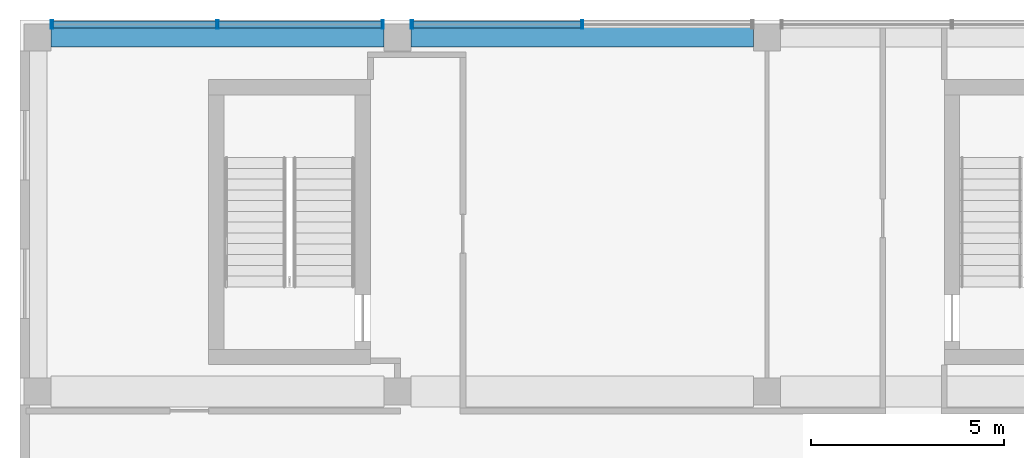
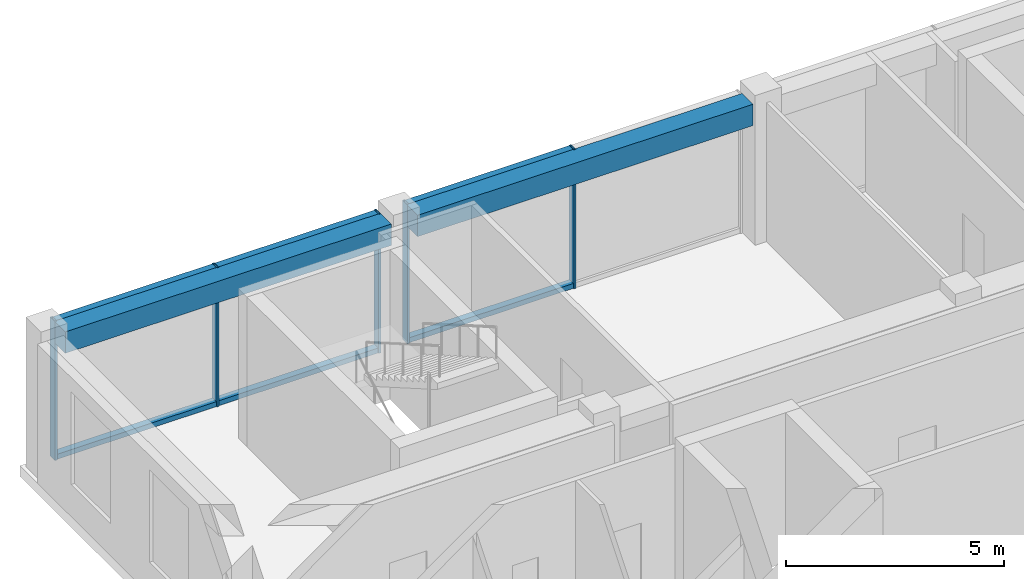
# One storey, part 14 of 27: 11 members, 2 beams, 2 elements without a shape of their own.
"""IFC4 building model written with IfcOpenShell, lengths in metres."""

from ifc_helpers import new_model, si_unit, direction, frame, origin, origin_2d, place, context, subcontext, project, spatial, rectangle, hollow_rectangle, extrude, material, layer, layer_set, material_profile, profile_set, type_object, element, aggregate, save


model = new_model("IFC4")

# Units and contexts
model_context = context("Model", 3, precision=1e-05, world=origin(), true_north=direction((0.0, 1.0)))
body_context = subcontext(model_context, "Body", "Model", "MODEL_VIEW")
ifc_project = project(units=[si_unit("LENGTHUNIT", "METRE"), si_unit("AREAUNIT", "SQUARE_METRE"), si_unit("VOLUMEUNIT", "CUBIC_METRE"), si_unit("PLANEANGLEUNIT", "RADIAN"), si_unit("MASSUNIT", "GRAM", prefix="KILO")], contexts=[model_context])

# Site, building, storey
site_placement = place(None, origin())
site = spatial("IfcSite", under=ifc_project, at=site_placement, CompositionType="ELEMENT")
building_placement = place(site_placement, origin())
building = spatial("IfcBuilding", under=site, at=building_placement, Name="Nzadi Deep Aquarium and Research Tower", CompositionType="ELEMENT")
storey_placement = place(building_placement, frame((0.0, 0.0, 69.699951171875)))
storey = spatial("IfcBuildingStorey", under=building, at=storey_placement, Name="L14", CompositionType="ELEMENT", Elevation=69.699951171875)

# Curtain wall, members
ifc_material_1 = material(Name="Aluminium unitised frame deep", Category="aluminium")
ifc_layer = layer(ifc_material_1, 0.22509765625)
ifc_layer_set = layer_set([ifc_layer], Name="Aluminium unitised frame deep")
curtain_wall_type = type_object("IfcCurtainWallType", Name="Curtain wall Unitised Deep 225", PredefinedType="NOTDEFINED", material=ifc_layer_set)
curtain_wall_1_placement = place(storey_placement, origin())
curtain_wall_1 = element("IfcCurtainWall", 1, at=curtain_wall_1_placement, inside=storey, type_object=curtain_wall_type, Name="Unitised curtain wall blade B north L14", PredefinedType="NOTDEFINED")
ifc_material_2 = material(Name="Aluminium unitised frame deep", Category="aluminium")
ifc_material_profile_1 = material_profile(ifc_material_2, hollow_rectangle(XDim=0.22509765625, YDim=0.06005859375, WallThickness=0.0048828125, at=origin_2d()))
ifc_profile_set_1 = profile_set([ifc_material_profile_1], Name="Aluminium unitised frame deep")
member_type_1 = type_object("IfcMemberType", Name="Mullion 60x225 Unitised Deep", PredefinedType="MULLION", material=ifc_profile_set_1)
member_1_placement = place(storey_placement, frame((0.6298828125, 46.33740234375, 0.0), z_axis=(0.0, 0.0, 1.0), x_axis=(0.0, 1.0, 0.0)))
member_1 = element("IfcMember", 2, at=member_1_placement, type_object=member_type_1, Name="CW180 mullion 1", PredefinedType="MULLION", context=body_context, shape_type="SweptSolid", body=[
    extrude(hollow_rectangle(XDim=0.22509765625, YDim=0.06005859375, WallThickness=0.0048828125, at=origin_2d()), origin(), (0.0, 0.0, 1.0), 3.900146484375),
])
member_2_placement = place(storey_placement, frame((4.925048828125, 46.33740234375, 0.0), z_axis=(0.0, 0.0, 1.0), x_axis=(0.0, 1.0, 0.0)))
member_2 = element("IfcMember", 3, at=member_2_placement, type_object=member_type_1, Name="CW180 mullion 2", PredefinedType="MULLION", context=body_context, shape_type="SweptSolid", body=[
    extrude(hollow_rectangle(XDim=0.22509765625, YDim=0.06005859375, WallThickness=0.0048828125, at=origin_2d()), origin(), (0.0, 0.0, 1.0), 3.900146484375),
])
member_3_placement = place(storey_placement, frame((9.219970703125, 46.33740234375, 0.0), z_axis=(0.0, 0.0, 1.0), x_axis=(0.0, 1.0, 0.0)))
member_3 = element("IfcMember", 4, at=member_3_placement, type_object=member_type_1, Name="CW180 mullion 3", PredefinedType="MULLION", context=body_context, shape_type="SweptSolid", body=[
    extrude(hollow_rectangle(XDim=0.22509765625, YDim=0.06005859375, WallThickness=0.0048828125, at=origin_2d()), origin(), (0.0, 0.0, 1.0), 3.900146484375),
])

curtain_wall_2_placement = place(storey_placement, origin())
curtain_wall_2 = element("IfcCurtainWall", 5, at=curtain_wall_2_placement, inside=storey, type_object=curtain_wall_type, Name="Unitised curtain wall blade B north L14", PredefinedType="NOTDEFINED")
member_4_placement = place(storey_placement, frame((9.97998046875, 46.33740234375, 0.0), z_axis=(0.0, 0.0, 1.0), x_axis=(0.0, 1.0, 0.0)))
member_4 = element("IfcMember", 6, at=member_4_placement, type_object=member_type_1, Name="CW181 mullion 1", PredefinedType="MULLION", context=body_context, shape_type="SweptSolid", body=[
    extrude(hollow_rectangle(XDim=0.22509765625, YDim=0.06005859375, WallThickness=0.0048828125, at=origin_2d()), origin(), (0.0, 0.0, 1.0), 3.900146484375),
])
member_5_placement = place(storey_placement, frame((14.39990234375, 46.33740234375, 0.0), z_axis=(0.0, 0.0, 1.0), x_axis=(0.0, 1.0, 0.0)))
member_5 = element("IfcMember", 7, at=member_5_placement, type_object=member_type_1, Name="CW181 mullion 2", PredefinedType="MULLION", context=body_context, shape_type="SweptSolid", body=[
    extrude(hollow_rectangle(XDim=0.22509765625, YDim=0.06005859375, WallThickness=0.0048828125, at=origin_2d()), origin(), (0.0, 0.0, 1.0), 3.900146484375),
])

# Beams
ifc_material_3 = material(Name="Concrete C35/45", Category="concrete")
ifc_material_profile_2 = material_profile(ifc_material_3, rectangle(XDim=0.5, YDim=0.60009765625, at=origin_2d()))
ifc_profile_set_2 = profile_set([ifc_material_profile_2], Name="Concrete C35/45")
beam_type = type_object("IfcBeamType", Name="RC 500x600", PredefinedType="BEAM", material=ifc_profile_set_2)
beam_1_placement = place(storey_placement, frame((0.60009765625, 46.0, 3.60009765625), z_axis=(1.0, 0.0, 0.0), x_axis=(0.0, 1.0, 0.0)))
element("IfcBeam", 8, at=beam_1_placement, inside=storey, type_object=beam_type, Name="B-Z1-L14-L6-1", PredefinedType="BEAM", context=body_context, shape_type="SweptSolid", body=[
    extrude(rectangle(XDim=0.5, YDim=0.60009765625, at=origin_2d()), origin(), (0.0, 0.0, 1.0), 8.64990234375),
])
beam_2_placement = place(storey_placement, frame((9.949951171875, 46.0, 3.60009765625), z_axis=(1.0, 0.0, 0.0), x_axis=(0.0, 1.0, 0.0)))
element("IfcBeam", 9, at=beam_2_placement, inside=storey, type_object=beam_type, Name="B-Z1-L14-L6-2", PredefinedType="BEAM", context=body_context, shape_type="SweptSolid", body=[
    extrude(rectangle(XDim=0.5, YDim=0.60009765625, at=origin_2d()), origin(), (0.0, 0.0, 1.0), 8.900146484375),
])

# Member
ifc_material_4 = material(Name="Aluminium unitised frame deep", Category="aluminium")
ifc_material_profile_3 = material_profile(ifc_material_4, hollow_rectangle(XDim=0.179931640625, YDim=0.139892578125, WallThickness=0.0048828125, at=origin_2d()))
ifc_profile_set_3 = profile_set([ifc_material_profile_3], Name="Aluminium unitised frame deep")
member_type_2 = type_object("IfcMemberType", Name="Transom 140x180 Unitised Deep", PredefinedType="MULLION", material=ifc_profile_set_3)
member_6_placement = place(storey_placement, frame((0.659912109375, 46.33740234375, 0.070068359375), z_axis=(1.0, 0.0, 0.0), x_axis=(0.0, 1.0, 0.0)))
member_6 = element("IfcMember", 10, at=member_6_placement, type_object=member_type_2, Name="CW180 transom 1.1", PredefinedType="MULLION", context=body_context, shape_type="SweptSolid", body=[
    extrude(hollow_rectangle(XDim=0.179931640625, YDim=0.139892578125, WallThickness=0.0048828125, at=origin_2d()), origin(), (0.0, 0.0, 1.0), 4.235107421875),
])

member_7_placement = place(storey_placement, frame((0.659912109375, 46.33740234375, 3.830078125), z_axis=(1.0, 0.0, 0.0), x_axis=(0.0, 1.0, 0.0)))
member_7 = element("IfcMember", 11, at=member_7_placement, type_object=member_type_2, Name="CW180 transom 1.2", PredefinedType="MULLION", context=body_context, shape_type="SweptSolid", body=[
    extrude(hollow_rectangle(XDim=0.179931640625, YDim=0.139892578125, WallThickness=0.0048828125, at=origin_2d()), origin(), (0.0, 0.0, 1.0), 4.235107421875),
])

member_8_placement = place(storey_placement, frame((4.955078125, 46.33740234375, 0.070068359375), z_axis=(1.0, 0.0, 0.0), x_axis=(0.0, 1.0, 0.0)))
member_8 = element("IfcMember", 12, at=member_8_placement, type_object=member_type_2, Name="CW180 transom 2.1", PredefinedType="MULLION", context=body_context, shape_type="SweptSolid", body=[
    extrude(hollow_rectangle(XDim=0.179931640625, YDim=0.139892578125, WallThickness=0.0048828125, at=origin_2d()), origin(), (0.0, 0.0, 1.0), 4.23486328125),
])

member_9_placement = place(storey_placement, frame((4.955078125, 46.33740234375, 3.830078125), z_axis=(1.0, 0.0, 0.0), x_axis=(0.0, 1.0, 0.0)))
member_9 = element("IfcMember", 13, at=member_9_placement, type_object=member_type_2, Name="CW180 transom 2.2", PredefinedType="MULLION", context=body_context, shape_type="SweptSolid", body=[
    extrude(hollow_rectangle(XDim=0.179931640625, YDim=0.139892578125, WallThickness=0.0048828125, at=origin_2d()), origin(), (0.0, 0.0, 1.0), 4.23486328125),
])

aggregate(curtain_wall_1, [member_1, member_2, member_3, member_6, member_7, member_8, member_9])

member_10_placement = place(storey_placement, frame((10.010009765625, 46.33740234375, 0.070068359375), z_axis=(1.0, 0.0, 0.0), x_axis=(0.0, 1.0, 0.0)))
member_10 = element("IfcMember", 14, at=member_10_placement, type_object=member_type_2, Name="CW181 transom 1.1", PredefinedType="MULLION", context=body_context, shape_type="SweptSolid", body=[
    extrude(hollow_rectangle(XDim=0.179931640625, YDim=0.139892578125, WallThickness=0.0048828125, at=origin_2d()), origin(), (0.0, 0.0, 1.0), 4.360107421875),
])

member_11_placement = place(storey_placement, frame((10.010009765625, 46.33740234375, 3.830078125), z_axis=(1.0, 0.0, 0.0), x_axis=(0.0, 1.0, 0.0)))
member_11 = element("IfcMember", 15, at=member_11_placement, type_object=member_type_2, Name="CW181 transom 1.2", PredefinedType="MULLION", context=body_context, shape_type="SweptSolid", body=[
    extrude(hollow_rectangle(XDim=0.179931640625, YDim=0.139892578125, WallThickness=0.0048828125, at=origin_2d()), origin(), (0.0, 0.0, 1.0), 4.360107421875),
])

aggregate(curtain_wall_2, [member_4, member_5, member_10, member_11])

save(model, "model.ifc")
